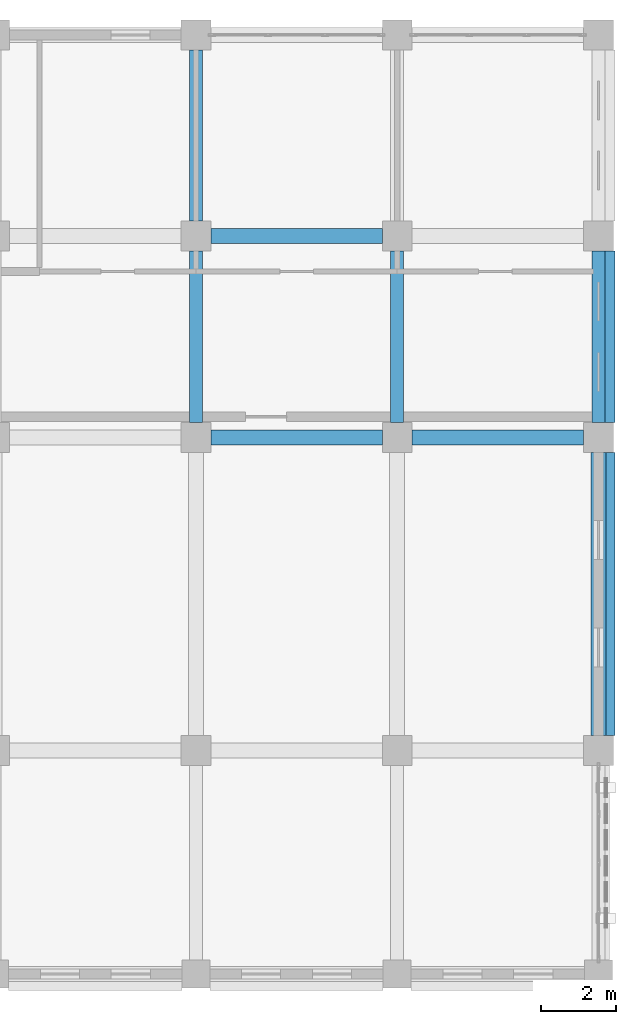
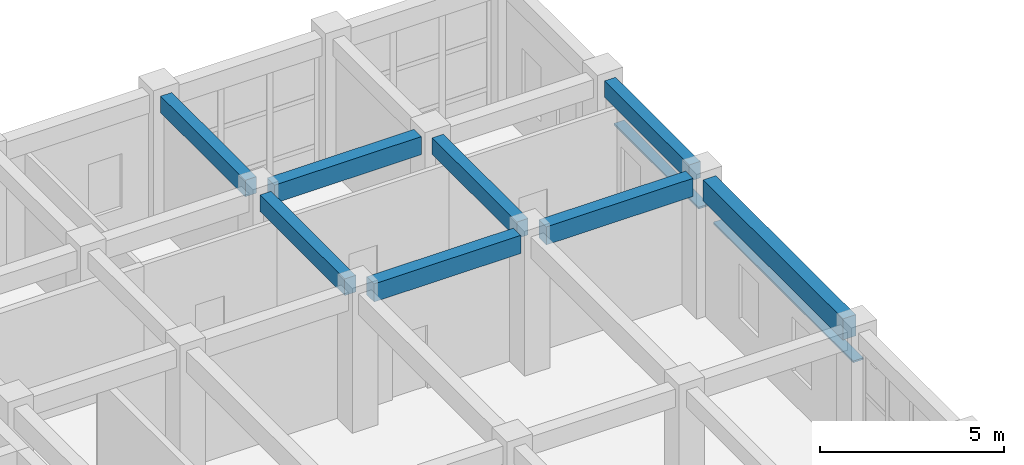
# One storey, part 52 of 76: 8 beams, 2 members.
"""IFC4 building model written with IfcOpenShell, lengths in metres."""

from ifc_helpers import new_model, si_unit, direction, frame, origin, origin_2d, place, context, subcontext, project, spatial, rectangle, hollow_rectangle, extrude, material, material_profile, profile_set, type_object, element, save


model = new_model("IFC4")

# Units and contexts
model_context = context("Model", 3, precision=1e-05, world=origin(), true_north=direction((0.0, 1.0)))
body_context = subcontext(model_context, "Body", "Model", "MODEL_VIEW")
ifc_project = project(units=[si_unit("LENGTHUNIT", "METRE"), si_unit("AREAUNIT", "SQUARE_METRE"), si_unit("VOLUMEUNIT", "CUBIC_METRE"), si_unit("PLANEANGLEUNIT", "RADIAN"), si_unit("MASSUNIT", "GRAM", prefix="KILO")], contexts=[model_context])

# Site, building, storey
site_placement = place(None, origin())
site = spatial("IfcSite", under=ifc_project, at=site_placement, CompositionType="ELEMENT")
building_placement = place(site_placement, origin())
building = spatial("IfcBuilding", under=site, at=building_placement, Name="Krzemoval Escarpment Law Courts", CompositionType="ELEMENT")
storey_placement = place(building_placement, frame((0.0, 0.0, 20.39990234375)))
storey = spatial("IfcBuildingStorey", under=building, at=storey_placement, Name="L04", CompositionType="ELEMENT", Elevation=20.39990234375)

# Beams
ifc_material_1 = material(Name="Concrete C40/50", Category="concrete")
ifc_material_profile_1 = material_profile(ifc_material_1, rectangle(XDim=0.35009765625, YDim=0.550048828125, at=origin_2d()), Name="RCB 350x550")
ifc_profile_set_1 = profile_set([ifc_material_profile_1], Name="Concrete C40/50")
beam_type_1 = type_object("IfcBeamType", Name="BM-RC-350x550", PredefinedType="BEAM", material=ifc_profile_set_1)
beam_1_placement = place(storey_placement, frame((162.0, 108.39990234375, 4.275146484375), z_axis=(0.0, 1.0, 0.0), x_axis=(-1.0, 0.0, 0.0)))
element("IfcBeam", 1, at=beam_1_placement, inside=storey, type_object=beam_type_1, Name="Beam FG-L04-2534", PredefinedType="BEAM", context=body_context, shape_type="SweptSolid", body=[
    extrude(rectangle(XDim=0.35009765625, YDim=0.550048828125, at=origin_2d()), origin(), (0.0, 0.0, 1.0), 4.60009765625),
])
beam_2_placement = place(storey_placement, frame((162.0, 113.800048828125, 4.275146484375), z_axis=(0.0, 1.0, 0.0), x_axis=(-1.0, 0.0, 0.0)))
element("IfcBeam", 2, at=beam_2_placement, inside=storey, type_object=beam_type_1, Name="Beam FG-L04-2535", PredefinedType="BEAM", context=body_context, shape_type="SweptSolid", body=[
    extrude(rectangle(XDim=0.35009765625, YDim=0.550048828125, at=origin_2d()), origin(), (0.0, 0.0, 1.0), 4.599853515625),
])
for number, where, z_axis, x_axis, name in (
    (3, (167.39990234375, 108.39990234375, 4.275146484375), (0.0, 1.0, 0.0), (-1.0, 0.0, 0.0), "Beam FG-L04-2538"),
    (4, (172.800048828125, 108.39990234375, 4.275146484375), (0.0, 1.0, 0.0), (-1.0, 0.0, 0.0), "Beam FG-L04-2542"),
):
    element("IfcBeam", number, at=place(storey_placement, frame(where, z_axis=z_axis, x_axis=x_axis)), inside=storey, type_object=beam_type_1, Name=name, PredefinedType="BEAM", context=body_context, shape_type="SweptSolid", body=[
        extrude(rectangle(XDim=0.35009765625, YDim=0.550048828125, at=origin_2d()), origin(), (0.0, 0.0, 1.0), 4.60009765625),
    ])
ifc_material_2 = material(Name="Concrete C40/50", Category="concrete")
ifc_material_profile_2 = material_profile(ifc_material_2, rectangle(XDim=0.39990234375, YDim=0.60009765625, at=origin_2d()), Name="RCB 400x600")
ifc_profile_set_2 = profile_set([ifc_material_profile_2], Name="Concrete C40/50")
beam_type_2 = type_object("IfcBeamType", Name="BM-RC-400x600", PredefinedType="BEAM", material=ifc_profile_set_2)
beam_3_placement = place(storey_placement, frame((162.39990234375, 108.0, 4.25), z_axis=(1.0, 0.0, 0.0), x_axis=(0.0, 1.0, 0.0)))
element("IfcBeam", 5, at=beam_3_placement, inside=storey, type_object=beam_type_2, Name="Beam FG-L04-2466", PredefinedType="BEAM", context=body_context, shape_type="SweptSolid", body=[
    extrude(rectangle(XDim=0.39990234375, YDim=0.60009765625, at=origin_2d()), origin(), (0.0, 0.0, 1.0), 4.60009765625),
])
beam_4_placement = place(storey_placement, frame((167.800048828125, 108.0, 4.25), z_axis=(1.0, 0.0, 0.0), x_axis=(0.0, 1.0, 0.0)))
element("IfcBeam", 6, at=beam_4_placement, inside=storey, type_object=beam_type_2, Name="Beam FG-L04-2467", PredefinedType="BEAM", context=body_context, shape_type="SweptSolid", body=[
    extrude(rectangle(XDim=0.39990234375, YDim=0.60009765625, at=origin_2d()), origin(), (0.0, 0.0, 1.0), 4.599853515625),
])
beam_5_placement = place(storey_placement, frame((162.39990234375, 113.39990234375, 4.25), z_axis=(1.0, 0.0, 0.0), x_axis=(0.0, 1.0, 0.0)))
element("IfcBeam", 7, at=beam_5_placement, inside=storey, type_object=beam_type_2, Name="Beam FG-L04-2473", PredefinedType="BEAM", context=body_context, shape_type="SweptSolid", body=[
    extrude(rectangle(XDim=0.39990234375, YDim=0.60009765625, at=origin_2d()), origin(), (0.0, 0.0, 1.0), 4.60009765625),
])
ifc_material_3 = material(Name="Concrete C40/50", Category="concrete")
ifc_material_profile_3 = material_profile(ifc_material_3, rectangle(XDim=0.39990234375, YDim=0.699951171875, at=origin_2d()), Name="RCB 400x700")
ifc_profile_set_3 = profile_set([ifc_material_profile_3], Name="Concrete C40/50")
beam_type_3 = type_object("IfcBeamType", Name="BM-RC-400x700", PredefinedType="BEAM", material=ifc_profile_set_3)
beam_6_placement = place(storey_placement, frame((172.800048828125, 100.0, 4.2001953125), z_axis=(0.0, 1.0, 0.0), x_axis=(-1.0, 0.0, 0.0)))
element("IfcBeam", 8, at=beam_6_placement, inside=storey, type_object=beam_type_3, Name="Beam FG-L04-2541", PredefinedType="BEAM", context=body_context, shape_type="SweptSolid", body=[
    extrude(rectangle(XDim=0.39990234375, YDim=0.699951171875, at=origin_2d()), origin(), (0.0, 0.0, 1.0), 7.60009765625),
])

# Members
ifc_material_4 = material(Name="Anodised Aluminium Alloy 6063-T6", Category="aluminium")
ifc_material_profile_4 = material_profile(ifc_material_4, hollow_rectangle(XDim=0.06005859375, YDim=0.320068359375, WallThickness=0.00390625, at=origin_2d()), Name="ALU LVR 60x320")
ifc_profile_set_4 = profile_set([ifc_material_profile_4], Name="Anodised Aluminium Alloy 6063-T6")
member_type = type_object("IfcMemberType", Name="LVR-ALU-320", PredefinedType="USERDEFINED", material=ifc_profile_set_4)
member_1_placement = place(storey_placement, frame((173.080078125, 113.0, 3.010009765625), z_axis=(0.0, -1.0, 0.0), x_axis=(0.0, 0.0, 1.0)))
element("IfcMember", 9, at=member_1_placement, inside=storey, type_object=member_type, Name="Window Sunshade Louvre FLV-L04-0867", ObjectType="SUNSHADE_LOUVRE", PredefinedType="USERDEFINED", context=body_context, shape_type="SweptSolid", body=[
    extrude(hollow_rectangle(XDim=0.06005859375, YDim=0.320068359375, WallThickness=0.00390625, at=origin_2d()), origin(), (0.0, 0.0, 1.0), 4.60009765625),
])
member_2_placement = place(storey_placement, frame((173.080078125, 107.60009765625, 3.010009765625), z_axis=(0.0, -1.0, 0.0), x_axis=(0.0, 0.0, 1.0)))
element("IfcMember", 10, at=member_2_placement, inside=storey, type_object=member_type, Name="Window Sunshade Louvre FLV-L04-0868", ObjectType="SUNSHADE_LOUVRE", PredefinedType="USERDEFINED", context=body_context, shape_type="SweptSolid", body=[
    extrude(hollow_rectangle(XDim=0.06005859375, YDim=0.320068359375, WallThickness=0.00390625, at=origin_2d()), origin(), (0.0, 0.0, 1.0), 7.60009765625),
])

save(model, "model.ifc")
